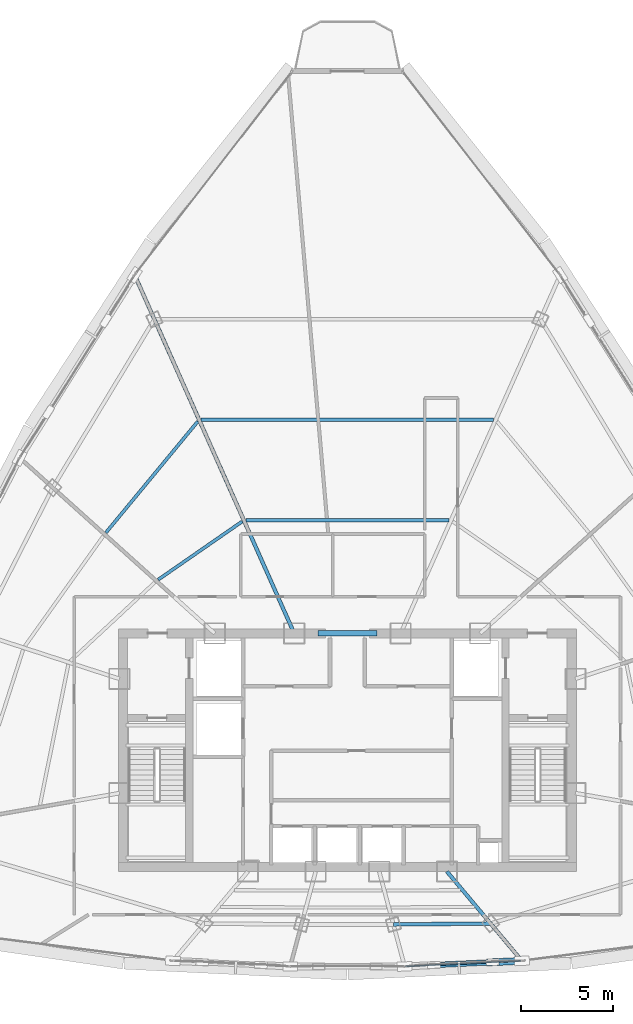
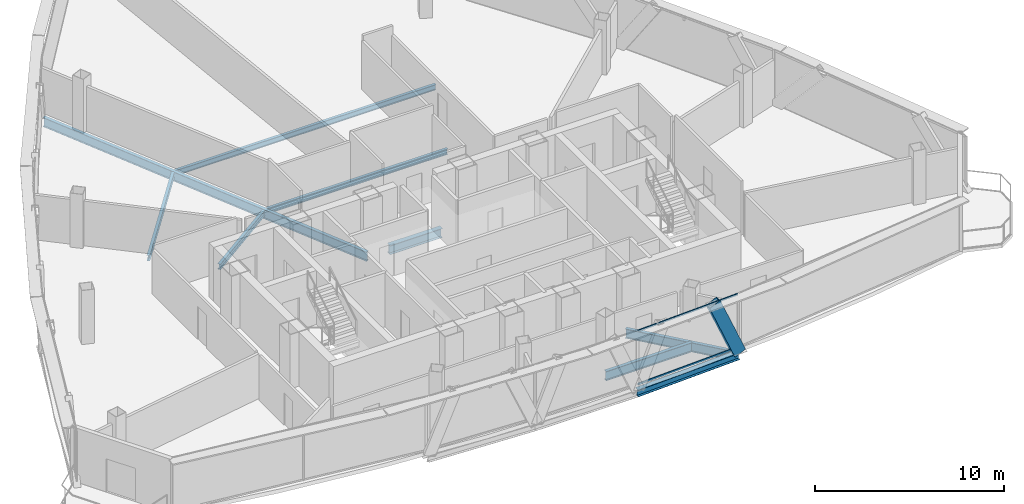
# One storey, part 10 of 30: 9 beams, 3 members, 1 element without a shape of its own.
"""IFC4 building model written with IfcOpenShell, lengths in metres."""

from ifc_helpers import new_model, si_unit, direction, frame, origin, origin_2d, place, context, subcontext, project, spatial, hollow_rectangle, i_section, extrude, source, transform, mapped, material, layer, layer_set, material_profile, profile_set, type_object, element, aggregate, save


model = new_model("IFC4")

# Units and contexts
model_context = context("Model", 3, precision=1e-05, world=origin(), true_north=direction((0.0, 1.0)))
body_context = subcontext(model_context, "Body", "Model", "MODEL_VIEW")
ifc_project = project(units=[si_unit("LENGTHUNIT", "METRE"), si_unit("AREAUNIT", "SQUARE_METRE"), si_unit("VOLUMEUNIT", "CUBIC_METRE"), si_unit("PLANEANGLEUNIT", "RADIAN"), si_unit("MASSUNIT", "GRAM", prefix="KILO"), si_unit("THERMODYNAMICTEMPERATUREUNIT", "KELVIN"), si_unit("POWERUNIT", "WATT")], contexts=[model_context])

# Site, building, storey
site_placement = place(None, origin())
site = spatial("IfcSite", under=ifc_project, at=site_placement, CompositionType="ELEMENT")
building_placement = place(site_placement, origin())
building = spatial("IfcBuilding", under=site, at=building_placement, Name="Yunzhuo Pagoda Commons", CompositionType="ELEMENT")
storey_placement = place(building_placement, frame((0.0, 0.0, 351.760009765625)))
storey = spatial("IfcBuildingStorey", under=building, at=storey_placement, Name="L88", CompositionType="ELEMENT", Elevation=351.760009765625)

# Beams
ifc_material_1 = material(Name="Structural steel Q420B", Category="steel")
ifc_material_profile_1 = material_profile(ifc_material_1, i_section(OverallWidth=0.300048828125, OverallDepth=0.587890625, WebThickness=0.011962890625, FlangeThickness=0.02001953125, at=origin_2d()), Name="Structural steel Q420B")
ifc_profile_set_1 = profile_set([ifc_material_profile_1], Name="Structural steel Q420B")
beam_type_1 = type_object("IfcBeamType", Name="B-CPL Beam HM 588x300x12x20", PredefinedType="BEAM", material=ifc_profile_set_1)
shared_shape_1 = source(origin(), body_context, "Body", "SweptSolid", [
    extrude(i_section(OverallWidth=0.300048828125, OverallDepth=0.587890625, WebThickness=0.011962890625, FlangeThickness=0.02001953125, at=origin_2d()), origin(), (0.0, 0.0, 1.0), 3.2001953125),
])
beam_1_placement = place(storey_placement, frame((46.39990234375, 40.199951171875, -0.553955078125), z_axis=(1.0, 0.0, 0.0), x_axis=(0.0, 1.0, 0.0)))
element("IfcBeam", 1, at=beam_1_placement, inside=storey, type_object=beam_type_1, Name="L88 core coupling girder", PredefinedType="BEAM", context=body_context, shape_type="MappedRepresentation", body=[
    mapped(shared_shape_1, transform((0.0, 0.0, 0.0), scale=1.0)),
])
ifc_material_2 = material(Name="Structural steel Q355B", Category="steel")
ifc_material_profile_2 = material_profile(ifc_material_2, i_section(OverallWidth=0.199951171875, OverallDepth=0.60009765625, WebThickness=0.010986328125, FlangeThickness=0.01708984375, at=origin_2d()), Name="Structural steel Q355B")
ifc_profile_set_2 = profile_set([ifc_material_profile_2], Name="Structural steel Q355B")
beam_type_2 = type_object("IfcBeamType", Name="B-RG3 Beam HN 600x200x11x17", PredefinedType="BEAM", material=ifc_profile_set_2)
shared_shape_2 = source(origin(), body_context, "Body", "SweptSolid", [
    extrude(i_section(OverallWidth=0.199951171875, OverallDepth=0.60009765625, WebThickness=0.010986328125, FlangeThickness=0.01708984375, at=origin_2d()), origin(), (0.0, 0.0, 1.0), 5.286376953125),
])
beam_2_placement = place(storey_placement, frame((50.499267578125, 24.372802734375, -0.56005859375), z_axis=(0.999957341442, 0.009236627946, 0.0), x_axis=(-0.009236627946, 0.999957341442, 0.0)))
element("IfcBeam", 2, at=beam_2_placement, inside=storey, type_object=beam_type_2, Name="L88 column-ring beam 3", PredefinedType="BEAM", context=body_context, shape_type="MappedRepresentation", body=[
    mapped(shared_shape_2, transform((0.0, 0.0, 0.0), scale=1.0)),
])
ifc_material_profile_3 = material_profile(ifc_material_2, i_section(OverallWidth=0.175048828125, OverallDepth=0.35009765625, WebThickness=0.007080078125, FlangeThickness=0.010986328125, at=origin_2d()), Name="Structural steel Q355B")
ifc_profile_set_3 = profile_set([ifc_material_profile_3], Name="Structural steel Q355B")
beam_type_3 = type_object("IfcBeamType", Name="B-JS2 Joist HN 350x175x7x11", PredefinedType="JOIST", material=ifc_profile_set_3)
shared_shape_3 = source(origin(), body_context, "Body", "SweptSolid", [
    extrude(i_section(OverallWidth=0.175048828125, OverallDepth=0.35009765625, WebThickness=0.007080078125, FlangeThickness=0.010986328125, at=origin_2d()), origin(), (0.0, 0.0, 1.0), 5.556640625),
])
beam_3_placement = place(storey_placement, frame((42.273681640625, 46.28369140625, -0.43505859375), z_axis=(-0.822084621883, -0.569365326011, 0.0), x_axis=(0.569365326011, -0.822084621883, 0.0)))
element("IfcBeam", 3, at=beam_3_placement, inside=storey, type_object=beam_type_3, Name="L88 composite ring joist 1.9", PredefinedType="JOIST", context=body_context, shape_type="MappedRepresentation", body=[
    mapped(shared_shape_3, transform((0.0, 0.0, 0.0), scale=1.0)),
])
shared_shape_4 = source(origin(), body_context, "Body", "SweptSolid", [
    extrude(i_section(OverallWidth=0.175048828125, OverallDepth=0.35009765625, WebThickness=0.007080078125, FlangeThickness=0.010986328125, at=origin_2d()), origin(), (0.0, 0.0, 1.0), 7.842529296875),
])
beam_4_placement = place(storey_placement, frame((39.861328125, 51.726318359375, -0.43505859375), z_axis=(-0.636899145749, -0.770947130577, 0.0), x_axis=(0.770947130577, -0.636899145749, 0.0)))
element("IfcBeam", 4, at=beam_4_placement, inside=storey, type_object=beam_type_3, Name="L88 composite ring joist 2.9", PredefinedType="JOIST", context=body_context, shape_type="MappedRepresentation", body=[
    mapped(shared_shape_4, transform((0.0, 0.0, 0.0), scale=1.0)),
])
shared_shape_5 = source(origin(), body_context, "Body", "SweptSolid", [
    extrude(i_section(OverallWidth=0.175048828125, OverallDepth=0.35009765625, WebThickness=0.007080078125, FlangeThickness=0.010986328125, at=origin_2d()), origin(), (0.0, 0.0, 1.0), 11.03369140625),
])
beam_5_placement = place(storey_placement, frame((53.516845703125, 46.34912109375, -0.43505859375), z_axis=(-1.0, 0.0, 0.0), x_axis=(0.0, -1.0, 0.0)))
element("IfcBeam", 5, at=beam_5_placement, inside=storey, type_object=beam_type_3, Name="L88 composite ring joist 1.8", PredefinedType="JOIST", context=body_context, shape_type="MappedRepresentation", body=[
    mapped(shared_shape_5, transform((0.0, 0.0, 0.0), scale=1.0)),
])
shared_shape_6 = source(origin(), body_context, "Body", "SweptSolid", [
    extrude(i_section(OverallWidth=0.175048828125, OverallDepth=0.35009765625, WebThickness=0.007080078125, FlangeThickness=0.010986328125, at=origin_2d()), origin(), (0.0, 0.0, 1.0), 15.900390625),
])
beam_6_placement = place(storey_placement, frame((55.9501953125, 51.81494140625, -0.43505859375), z_axis=(-1.0, 0.0, 0.0), x_axis=(0.0, -1.0, 0.0)))
element("IfcBeam", 6, at=beam_6_placement, inside=storey, type_object=beam_type_3, Name="L88 composite ring joist 2.8", PredefinedType="JOIST", context=body_context, shape_type="MappedRepresentation", body=[
    mapped(shared_shape_6, transform((0.0, 0.0, 0.0), scale=1.0)),
])
shared_shape_7 = source(origin(), body_context, "Body", "SweptSolid", [
    extrude(i_section(OverallWidth=0.199951171875, OverallDepth=0.60009765625, WebThickness=0.010986328125, FlangeThickness=0.01708984375, at=origin_2d()), origin(), (0.0, 0.0, 1.0), 6.185302734375),
])
beam_7_placement = place(storey_placement, frame((57.38818359375, 22.511962890625, -0.56005859375), z_axis=(-0.642824517448, 0.766013472315, 0.0), x_axis=(-0.766013472315, -0.642824517448, 0.0)))
element("IfcBeam", 7, at=beam_7_placement, inside=storey, type_object=beam_type_2, Name="L88 radial floor girder F1C4", PredefinedType="BEAM", context=body_context, shape_type="MappedRepresentation", body=[
    mapped(shared_shape_7, transform((0.0, 0.0, 0.0), scale=1.0)),
])
shared_shape_8 = source(origin(), body_context, "Body", "SweptSolid", [
    extrude(i_section(OverallWidth=0.199951171875, OverallDepth=0.60009765625, WebThickness=0.010986328125, FlangeThickness=0.01708984375, at=origin_2d()), origin(), (0.0, 0.0, 1.0), 21.180908203125),
])
beam_8_placement = place(storey_placement, frame((36.490966796875, 59.5498046875, -0.56005859375), z_axis=(0.406731930352, -0.913547555868, 0.0), x_axis=(0.913547555868, 0.406731930352, 0.0)))
element("IfcBeam", 8, at=beam_8_placement, inside=storey, type_object=beam_type_2, Name="L88 radial floor girder F3C1", PredefinedType="BEAM", context=body_context, shape_type="MappedRepresentation", body=[
    mapped(shared_shape_8, transform((0.0, 0.0, 0.0), scale=1.0)),
])
ifc_material_profile_4 = material_profile(ifc_material_2, i_section(OverallWidth=0.300048828125, OverallDepth=0.43994140625, WebThickness=0.010986328125, FlangeThickness=0.01806640625, at=origin_2d()), Name="Structural steel Q355B")
ifc_profile_set_4 = profile_set([ifc_material_profile_4], Name="Structural steel Q355B")
beam_type_4 = type_object("IfcBeamType", Name="B-SP2 Beam HM 440x300x11x18", PredefinedType="BEAM", material=ifc_profile_set_4)
shared_shape_9 = source(origin(), body_context, "Body", "SweptSolid", [
    extrude(i_section(OverallWidth=0.300048828125, OverallDepth=0.43994140625, WebThickness=0.010986328125, FlangeThickness=0.01806640625, at=origin_2d()), origin(), (0.0, 0.0, 1.0), 6.38330078125),
])
beam_9_placement = place(storey_placement, frame((51.111572265625, 22.087890625, -0.47998046875), z_axis=(0.998852857038, 0.04788496619, 0.0), x_axis=(-0.04788496619, 0.998852857038, 0.0)))
element("IfcBeam", 9, at=beam_9_placement, inside=storey, type_object=beam_type_4, Name="L88 facade edge spandrel beam F1.3", PredefinedType="BEAM", context=body_context, shape_type="MappedRepresentation", body=[
    mapped(shared_shape_9, transform((0.0, 0.0, 0.0), scale=1.0)),
])

# Member
ifc_material_profile_5 = material_profile(ifc_material_2, hollow_rectangle(XDim=0.3798828125, YDim=0.719970703125, WallThickness=0.02001953125, at=origin_2d()), Name="Structural steel Q355B")
ifc_profile_set_5 = profile_set([ifc_material_profile_5], Name="Structural steel Q355B")
member_type_1 = type_object("IfcMemberType", Name="M-DL3 Brace BOX 720x380x20", PredefinedType="BRACE", material=ifc_profile_set_5)
shared_shape_10 = source(origin(), body_context, "Body", "SweptSolid", [
    extrude(hollow_rectangle(XDim=0.3798828125, YDim=0.719970703125, WallThickness=0.02001953125, at=origin_2d()), origin(), (0.0, 0.0, 1.0), 4.075439453125),
])
member_1_placement = place(storey_placement, frame((57.487548828125, 22.3935546875, -0.260009765625), z_axis=(-0.391122616009, -0.018750402636, 0.92014755428), x_axis=(0.04788496619, -0.998852857038, 0.0)))
element("IfcMember", 10, at=member_1_placement, inside=storey, type_object=member_type_1, Name="L88 facade diamond brace F1.3R", PredefinedType="BRACE", context=body_context, shape_type="MappedRepresentation", body=[
    mapped(shared_shape_10, transform((0.0, 0.0, 0.0), scale=1.0)),
])

# Curtain wall, members
ifc_material_3 = material(Name="Anodized aluminium 6063-T6", Category="aluminium")
ifc_layer = layer(ifc_material_3, 0.139892578125)
ifc_layer_set = layer_set([ifc_layer], Name="Anodized aluminium 6063-T6")
curtain_wall_type = type_object("IfcCurtainWallType", Name="CW-HI High-Zone Ribbon Curtain Wall", PredefinedType="NOTDEFINED", material=ifc_layer_set)
curtain_wall_placement = place(storey_placement, origin())
curtain_wall = element("IfcCurtainWall", 11, at=curtain_wall_placement, inside=storey, type_object=curtain_wall_type, Name="L88 curtain wall CW-L88-F1B4", PredefinedType="NOTDEFINED")
ifc_material_profile_6 = material_profile(ifc_material_3, hollow_rectangle(XDim=0.054931640625, YDim=0.1201171875, WallThickness=0.00341796875, at=origin_2d()), Name="Anodized aluminium 6063-T6")
ifc_profile_set_6 = profile_set([ifc_material_profile_6], Name="Anodized aluminium 6063-T6")
member_type_2 = type_object("IfcMemberType", Name="CW-HI-T Transom RHS 120x55x3.5", PredefinedType="USERDEFINED", material=ifc_profile_set_6)
shared_shape_11 = source(origin(), body_context, "Body", "SweptSolid", [
    extrude(hollow_rectangle(XDim=0.054931640625, YDim=0.1201171875, WallThickness=0.00341796875, at=origin_2d()), origin(), (0.0, 0.0, 1.0), 6.26318359375),
])
member_2_placement = place(storey_placement, frame((51.17138671875, 22.090576171875, 0.027587890625), z_axis=(0.998853717259, 0.047867019114, 0.0), x_axis=(-0.047867019114, 0.998853717259, 0.0)))
member_2 = element("IfcMember", 12, at=member_2_placement, type_object=member_type_2, Name="CW transom 1.1", ObjectType="TRANSOM", PredefinedType="USERDEFINED", context=body_context, shape_type="MappedRepresentation", body=[
    mapped(shared_shape_11, transform((0.0, 0.0, 0.0), scale=1.0)),
])
member_3_placement = place(storey_placement, frame((51.17138671875, 22.090576171875, 3.46240234375), z_axis=(0.998853717259, 0.047867019114, 0.0), x_axis=(-0.047867019114, 0.998853717259, 0.0)))
member_3 = element("IfcMember", 13, at=member_3_placement, type_object=member_type_2, Name="CW transom 1.2", ObjectType="TRANSOM", PredefinedType="USERDEFINED", context=body_context, shape_type="MappedRepresentation", body=[
    mapped(shared_shape_11, transform((0.0, 0.0, 0.0), scale=1.0)),
])
aggregate(curtain_wall, [member_2, member_3])

save(model, "model.ifc")
